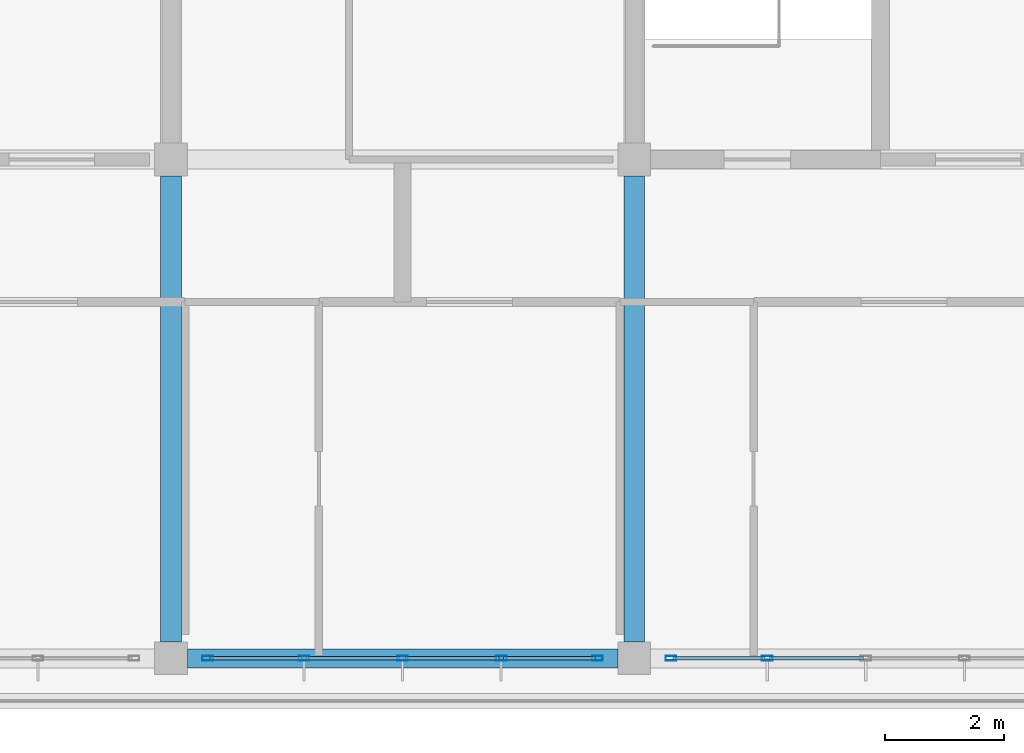
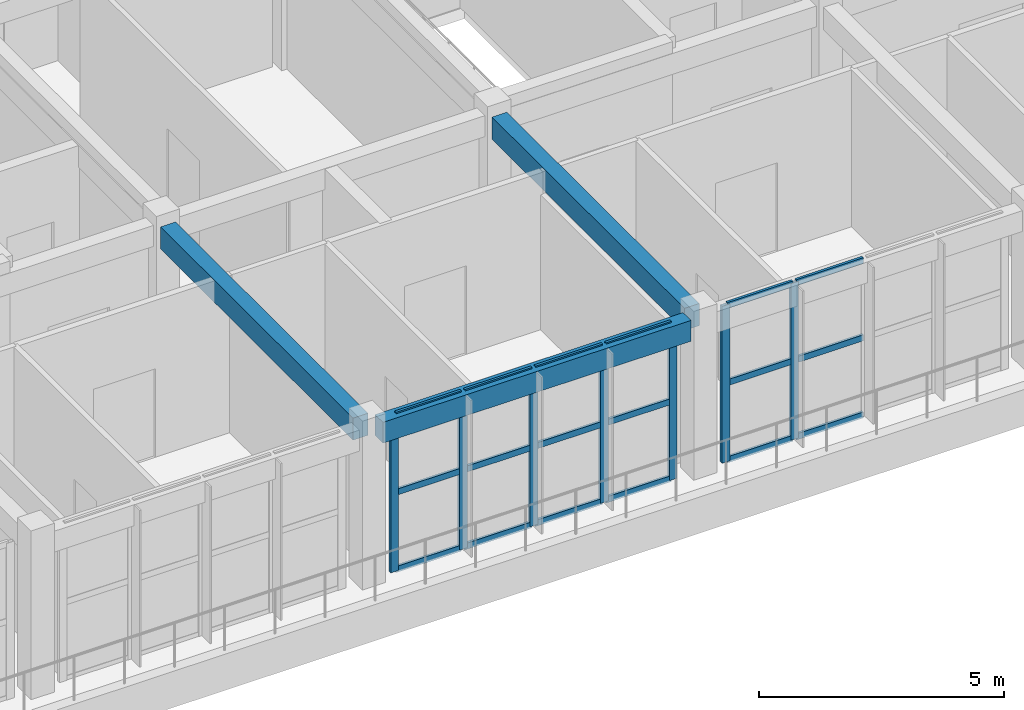
# One storey, part 11 of 33: 25 members, 3 beams, 2 elements without a shape of their own.
"""IFC4 building model written with IfcOpenShell, lengths in metres."""

from ifc_helpers import new_model, si_unit, direction, frame, origin, origin_2d, place, context, subcontext, project, spatial, rectangle, hollow_rectangle, extrude, material, layer, layer_set, material_profile, profile_set, type_object, element, aggregate, save


model = new_model("IFC4")

# Units and contexts
model_context = context("Model", 3, precision=1e-05, world=origin(), true_north=direction((0.0, 1.0)))
body_context = subcontext(model_context, "Body", "Model", "MODEL_VIEW")
ifc_project = project(units=[si_unit("LENGTHUNIT", "METRE"), si_unit("AREAUNIT", "SQUARE_METRE"), si_unit("VOLUMEUNIT", "CUBIC_METRE"), si_unit("PLANEANGLEUNIT", "RADIAN"), si_unit("MASSUNIT", "GRAM", prefix="KILO")], contexts=[model_context])

# Site, building, storey
site_placement = place(None, origin())
site = spatial("IfcSite", under=ifc_project, at=site_placement, CompositionType="ELEMENT")
building_placement = place(site_placement, origin())
building = spatial("IfcBuilding", under=site, at=building_placement, Name="Zizhar Promenade General Hospital", CompositionType="ELEMENT")
storey_placement = place(building_placement, frame((0.0, 0.0, 39.0)))
storey = spatial("IfcBuildingStorey", under=building, at=storey_placement, Name="L09", CompositionType="ELEMENT", Elevation=39.0)

# Beams
ifc_material_1 = material(Name="Concrete C35/45", Category="concrete")
ifc_material_profile_1 = material_profile(ifc_material_1, rectangle(XDim=0.320068359375, YDim=0.52001953125, at=origin_2d()))
ifc_profile_set_1 = profile_set([ifc_material_profile_1], Name="Concrete C35/45")
beam_type_1 = type_object("IfcBeamType", Name="BM-RC-320x520", PredefinedType="LINTEL", material=ifc_profile_set_1)
beam_placement = place(storey_placement, frame((70.47509765625, 0.0, 3.64990234375), z_axis=(1.0, 0.0, 0.0), x_axis=(0.0, 1.0, 0.0)))
element("IfcBeam", 1, at=beam_placement, inside=storey, type_object=beam_type_1, Name="Grid Beam X L09 (9-0)", PredefinedType="LINTEL", context=body_context, shape_type="SweptSolid", body=[
    extrude(rectangle(XDim=0.320068359375, YDim=0.52001953125, at=origin_2d()), origin(), (0.0, 0.0, 1.0), 7.25),
])
ifc_material_2 = material(Name="Concrete C35/45", Category="concrete")
ifc_material_profile_2 = material_profile(ifc_material_2, rectangle(XDim=0.35009765625, YDim=0.550048828125, at=origin_2d()))
ifc_profile_set_2 = profile_set([ifc_material_profile_2], Name="Concrete C35/45")
beam_type_2 = type_object("IfcBeamType", Name="BM-RC-350x550", PredefinedType="LINTEL", material=ifc_profile_set_2)
for number, where, z_axis, x_axis, name in (
    (2, (70.199951171875, 0.27490234375, 3.635009765625), (0.0, 1.0, 0.0), (-1.0, 0.0, 0.0), "Grid Beam Y L09 (9-0)"),
    (3, (78.0, 0.27490234375, 3.635009765625), (0.0, 1.0, 0.0), (-1.0, 0.0, 0.0), "Grid Beam Y L09 (10-0)"),
):
    element("IfcBeam", number, at=place(storey_placement, frame(where, z_axis=z_axis, x_axis=x_axis)), inside=storey, type_object=beam_type_2, Name=name, PredefinedType="LINTEL", context=body_context, shape_type="SweptSolid", body=[
        extrude(rectangle(XDim=0.35009765625, YDim=0.550048828125, at=origin_2d()), origin(), (0.0, 0.0, 1.0), 7.85009765625),
    ])

# Curtain wall, members
ifc_material_3 = material(Name="Anodised aluminium 6063-T6 and low-E glass", Category="aluminium")
ifc_layer = layer(ifc_material_3, 0.159912109375)
ifc_layer_set = layer_set([ifc_layer], Name="Anodised aluminium 6063-T6 and low-E glass")
curtain_wall_type = type_object("IfcCurtainWallType", Name="CW-WARD-RIB", PredefinedType="NOTDEFINED", material=ifc_layer_set)
curtain_wall_1_placement = place(storey_placement, origin())
curtain_wall_1 = element("IfcCurtainWall", 4, at=curtain_wall_1_placement, inside=storey, type_object=curtain_wall_type, Name="Ward Ribbon Curtain Wall L09-17-1", PredefinedType="NOTDEFINED")
ifc_material_4 = material(Name="Anodised aluminium 6063-T6", Category="aluminium")
ifc_material_profile_3 = material_profile(ifc_material_4, hollow_rectangle(XDim=0.080078125, YDim=0.179931640625, WallThickness=0.0048828125, at=origin_2d()))
ifc_profile_set_3 = profile_set([ifc_material_profile_3], Name="Anodised aluminium 6063-T6")
member_type_1 = type_object("IfcMemberType", Name="CWM-ALU-180x80", PredefinedType="MULLION", material=ifc_profile_set_3)
member_1_placement = place(storey_placement, frame((80.239990234375, 0.0, 0.0), z_axis=(0.0, 0.0, 1.0), x_axis=(0.0, -1.0, 0.0)))
member_1 = element("IfcMember", 5, at=member_1_placement, type_object=member_type_1, Name="CW-13 mullion 4", PredefinedType="MULLION", context=body_context, shape_type="SweptSolid", body=[
    extrude(hollow_rectangle(XDim=0.080078125, YDim=0.179931640625, WallThickness=0.0048828125, at=origin_2d()), origin(), (0.0, 0.0, 1.0), 3.89990234375),
])
member_2_placement = place(storey_placement, frame((78.6201171875, 0.0, 0.0), z_axis=(0.0, 0.0, 1.0), x_axis=(0.0, -1.0, 0.0)))
member_2 = element("IfcMember", 6, at=member_2_placement, type_object=member_type_1, Name="CW-13 mullion 5", PredefinedType="MULLION", context=body_context, shape_type="SweptSolid", body=[
    extrude(hollow_rectangle(XDim=0.080078125, YDim=0.179931640625, WallThickness=0.0048828125, at=origin_2d()), origin(), (0.0, 0.0, 1.0), 3.89990234375),
])

curtain_wall_2_placement = place(storey_placement, origin())
curtain_wall_2 = element("IfcCurtainWall", 7, at=curtain_wall_2_placement, inside=storey, type_object=curtain_wall_type, Name="Ward Ribbon Curtain Wall L09-17-2", PredefinedType="NOTDEFINED")
member_3_placement = place(storey_placement, frame((77.3798828125, 0.0, 0.0), z_axis=(0.0, 0.0, 1.0), x_axis=(0.0, -1.0, 0.0)))
member_3 = element("IfcMember", 8, at=member_3_placement, type_object=member_type_1, Name="CW-13 mullion 1", PredefinedType="MULLION", context=body_context, shape_type="SweptSolid", body=[
    extrude(hollow_rectangle(XDim=0.080078125, YDim=0.179931640625, WallThickness=0.0048828125, at=origin_2d()), origin(), (0.0, 0.0, 1.0), 3.89990234375),
])
member_4_placement = place(storey_placement, frame((75.760009765625, 0.0, 0.0), z_axis=(0.0, 0.0, 1.0), x_axis=(0.0, -1.0, 0.0)))
member_4 = element("IfcMember", 9, at=member_4_placement, type_object=member_type_1, Name="CW-13 mullion 2", PredefinedType="MULLION", context=body_context, shape_type="SweptSolid", body=[
    extrude(hollow_rectangle(XDim=0.080078125, YDim=0.179931640625, WallThickness=0.0048828125, at=origin_2d()), origin(), (0.0, 0.0, 1.0), 3.89990234375),
])
member_5_placement = place(storey_placement, frame((74.10009765625, 0.0, 0.0), z_axis=(0.0, 0.0, 1.0), x_axis=(0.0, -1.0, 0.0)))
member_5 = element("IfcMember", 10, at=member_5_placement, type_object=member_type_1, Name="CW-13 mullion 3", PredefinedType="MULLION", context=body_context, shape_type="SweptSolid", body=[
    extrude(hollow_rectangle(XDim=0.080078125, YDim=0.179931640625, WallThickness=0.0048828125, at=origin_2d()), origin(), (0.0, 0.0, 1.0), 3.89990234375),
])
member_6_placement = place(storey_placement, frame((72.43994140625, 0.0, 0.0), z_axis=(0.0, 0.0, 1.0), x_axis=(0.0, -1.0, 0.0)))
member_6 = element("IfcMember", 11, at=member_6_placement, type_object=member_type_1, Name="CW-13 mullion 4", PredefinedType="MULLION", context=body_context, shape_type="SweptSolid", body=[
    extrude(hollow_rectangle(XDim=0.080078125, YDim=0.179931640625, WallThickness=0.0048828125, at=origin_2d()), origin(), (0.0, 0.0, 1.0), 3.89990234375),
])
member_7_placement = place(storey_placement, frame((70.820068359375, 0.0, 0.0), z_axis=(0.0, 0.0, 1.0), x_axis=(0.0, -1.0, 0.0)))
member_7 = element("IfcMember", 12, at=member_7_placement, type_object=member_type_1, Name="CW-13 mullion 5", PredefinedType="MULLION", context=body_context, shape_type="SweptSolid", body=[
    extrude(hollow_rectangle(XDim=0.080078125, YDim=0.179931640625, WallThickness=0.0048828125, at=origin_2d()), origin(), (0.0, 0.0, 1.0), 3.89990234375),
])

# Member
ifc_material_5 = material(Name="Anodised aluminium 6063-T6", Category="aluminium")
ifc_material_profile_4 = material_profile(ifc_material_5, hollow_rectangle(XDim=0.06005859375, YDim=0.14990234375, WallThickness=0.00390625, at=origin_2d()))
ifc_profile_set_4 = profile_set([ifc_material_profile_4], Name="Anodised aluminium 6063-T6")
member_type_2 = type_object("IfcMemberType", Name="CWT-ALU-150x60", PredefinedType="USERDEFINED", material=ifc_profile_set_4)
member_8_placement = place(storey_placement, frame((81.860107421875, 0.0, 0.030029296875), z_axis=(-1.0, 0.0, 0.0), x_axis=(0.0, -1.0, 0.0)))
member_8 = element("IfcMember", 13, at=member_8_placement, type_object=member_type_2, Name="CW-13 transom 3.1", ObjectType="TRANSOM", PredefinedType="USERDEFINED", context=body_context, shape_type="SweptSolid", body=[
    extrude(hollow_rectangle(XDim=0.06005859375, YDim=0.14990234375, WallThickness=0.00390625, at=origin_2d()), origin(), (0.0, 0.0, 1.0), 1.580078125),
])

member_9_placement = place(storey_placement, frame((81.860107421875, 0.0, 1.949951171875), z_axis=(-1.0, 0.0, 0.0), x_axis=(0.0, -1.0, 0.0)))
member_9 = element("IfcMember", 14, at=member_9_placement, type_object=member_type_2, Name="CW-13 transom 3.2", ObjectType="TRANSOM", PredefinedType="USERDEFINED", context=body_context, shape_type="SweptSolid", body=[
    extrude(hollow_rectangle(XDim=0.06005859375, YDim=0.14990234375, WallThickness=0.00390625, at=origin_2d()), origin(), (0.0, 0.0, 1.0), 1.580078125),
])

member_10_placement = place(storey_placement, frame((81.860107421875, 0.0, 3.8701171875), z_axis=(-1.0, 0.0, 0.0), x_axis=(0.0, -1.0, 0.0)))
member_10 = element("IfcMember", 15, at=member_10_placement, type_object=member_type_2, Name="CW-13 transom 3.3", ObjectType="TRANSOM", PredefinedType="USERDEFINED", context=body_context, shape_type="SweptSolid", body=[
    extrude(hollow_rectangle(XDim=0.06005859375, YDim=0.14990234375, WallThickness=0.00390625, at=origin_2d()), origin(), (0.0, 0.0, 1.0), 1.580078125),
])

member_11_placement = place(storey_placement, frame((80.199951171875, 0.0, 0.030029296875), z_axis=(-1.0, 0.0, 0.0), x_axis=(0.0, -1.0, 0.0)))
member_11 = element("IfcMember", 16, at=member_11_placement, type_object=member_type_2, Name="CW-13 transom 4.1", ObjectType="TRANSOM", PredefinedType="USERDEFINED", context=body_context, shape_type="SweptSolid", body=[
    extrude(hollow_rectangle(XDim=0.06005859375, YDim=0.14990234375, WallThickness=0.00390625, at=origin_2d()), origin(), (0.0, 0.0, 1.0), 1.5400390625),
])

member_12_placement = place(storey_placement, frame((80.199951171875, 0.0, 1.949951171875), z_axis=(-1.0, 0.0, 0.0), x_axis=(0.0, -1.0, 0.0)))
member_12 = element("IfcMember", 17, at=member_12_placement, type_object=member_type_2, Name="CW-13 transom 4.2", ObjectType="TRANSOM", PredefinedType="USERDEFINED", context=body_context, shape_type="SweptSolid", body=[
    extrude(hollow_rectangle(XDim=0.06005859375, YDim=0.14990234375, WallThickness=0.00390625, at=origin_2d()), origin(), (0.0, 0.0, 1.0), 1.5400390625),
])

member_13_placement = place(storey_placement, frame((80.199951171875, 0.0, 3.8701171875), z_axis=(-1.0, 0.0, 0.0), x_axis=(0.0, -1.0, 0.0)))
member_13 = element("IfcMember", 18, at=member_13_placement, type_object=member_type_2, Name="CW-13 transom 4.3", ObjectType="TRANSOM", PredefinedType="USERDEFINED", context=body_context, shape_type="SweptSolid", body=[
    extrude(hollow_rectangle(XDim=0.06005859375, YDim=0.14990234375, WallThickness=0.00390625, at=origin_2d()), origin(), (0.0, 0.0, 1.0), 1.5400390625),
])

aggregate(curtain_wall_1, [member_1, member_2, member_8, member_9, member_10, member_11, member_12, member_13])

member_14_placement = place(storey_placement, frame((77.340087890625, 0.0, 0.030029296875), z_axis=(-1.0, 0.0, 0.0), x_axis=(0.0, -1.0, 0.0)))
member_14 = element("IfcMember", 19, at=member_14_placement, type_object=member_type_2, Name="CW-13 transom 1.1", ObjectType="TRANSOM", PredefinedType="USERDEFINED", context=body_context, shape_type="SweptSolid", body=[
    extrude(hollow_rectangle(XDim=0.06005859375, YDim=0.14990234375, WallThickness=0.00390625, at=origin_2d()), origin(), (0.0, 0.0, 1.0), 1.5400390625),
])

member_15_placement = place(storey_placement, frame((77.340087890625, 0.0, 1.949951171875), z_axis=(-1.0, 0.0, 0.0), x_axis=(0.0, -1.0, 0.0)))
member_15 = element("IfcMember", 20, at=member_15_placement, type_object=member_type_2, Name="CW-13 transom 1.2", ObjectType="TRANSOM", PredefinedType="USERDEFINED", context=body_context, shape_type="SweptSolid", body=[
    extrude(hollow_rectangle(XDim=0.06005859375, YDim=0.14990234375, WallThickness=0.00390625, at=origin_2d()), origin(), (0.0, 0.0, 1.0), 1.5400390625),
])

member_16_placement = place(storey_placement, frame((77.340087890625, 0.0, 3.8701171875), z_axis=(-1.0, 0.0, 0.0), x_axis=(0.0, -1.0, 0.0)))
member_16 = element("IfcMember", 21, at=member_16_placement, type_object=member_type_2, Name="CW-13 transom 1.3", ObjectType="TRANSOM", PredefinedType="USERDEFINED", context=body_context, shape_type="SweptSolid", body=[
    extrude(hollow_rectangle(XDim=0.06005859375, YDim=0.14990234375, WallThickness=0.00390625, at=origin_2d()), origin(), (0.0, 0.0, 1.0), 1.5400390625),
])

member_17_placement = place(storey_placement, frame((75.719970703125, 0.0, 0.030029296875), z_axis=(-1.0, 0.0, 0.0), x_axis=(0.0, -1.0, 0.0)))
member_17 = element("IfcMember", 22, at=member_17_placement, type_object=member_type_2, Name="CW-13 transom 2.1", ObjectType="TRANSOM", PredefinedType="USERDEFINED", context=body_context, shape_type="SweptSolid", body=[
    extrude(hollow_rectangle(XDim=0.06005859375, YDim=0.14990234375, WallThickness=0.00390625, at=origin_2d()), origin(), (0.0, 0.0, 1.0), 1.580078125),
])

member_18_placement = place(storey_placement, frame((75.719970703125, 0.0, 1.949951171875), z_axis=(-1.0, 0.0, 0.0), x_axis=(0.0, -1.0, 0.0)))
member_18 = element("IfcMember", 23, at=member_18_placement, type_object=member_type_2, Name="CW-13 transom 2.2", ObjectType="TRANSOM", PredefinedType="USERDEFINED", context=body_context, shape_type="SweptSolid", body=[
    extrude(hollow_rectangle(XDim=0.06005859375, YDim=0.14990234375, WallThickness=0.00390625, at=origin_2d()), origin(), (0.0, 0.0, 1.0), 1.580078125),
])

member_19_placement = place(storey_placement, frame((75.719970703125, 0.0, 3.8701171875), z_axis=(-1.0, 0.0, 0.0), x_axis=(0.0, -1.0, 0.0)))
member_19 = element("IfcMember", 24, at=member_19_placement, type_object=member_type_2, Name="CW-13 transom 2.3", ObjectType="TRANSOM", PredefinedType="USERDEFINED", context=body_context, shape_type="SweptSolid", body=[
    extrude(hollow_rectangle(XDim=0.06005859375, YDim=0.14990234375, WallThickness=0.00390625, at=origin_2d()), origin(), (0.0, 0.0, 1.0), 1.580078125),
])

member_20_placement = place(storey_placement, frame((74.06005859375, 0.0, 0.030029296875), z_axis=(-1.0, 0.0, 0.0), x_axis=(0.0, -1.0, 0.0)))
member_20 = element("IfcMember", 25, at=member_20_placement, type_object=member_type_2, Name="CW-13 transom 3.1", ObjectType="TRANSOM", PredefinedType="USERDEFINED", context=body_context, shape_type="SweptSolid", body=[
    extrude(hollow_rectangle(XDim=0.06005859375, YDim=0.14990234375, WallThickness=0.00390625, at=origin_2d()), origin(), (0.0, 0.0, 1.0), 1.580078125),
])

member_21_placement = place(storey_placement, frame((74.06005859375, 0.0, 1.949951171875), z_axis=(-1.0, 0.0, 0.0), x_axis=(0.0, -1.0, 0.0)))
member_21 = element("IfcMember", 26, at=member_21_placement, type_object=member_type_2, Name="CW-13 transom 3.2", ObjectType="TRANSOM", PredefinedType="USERDEFINED", context=body_context, shape_type="SweptSolid", body=[
    extrude(hollow_rectangle(XDim=0.06005859375, YDim=0.14990234375, WallThickness=0.00390625, at=origin_2d()), origin(), (0.0, 0.0, 1.0), 1.580078125),
])

member_22_placement = place(storey_placement, frame((74.06005859375, 0.0, 3.8701171875), z_axis=(-1.0, 0.0, 0.0), x_axis=(0.0, -1.0, 0.0)))
member_22 = element("IfcMember", 27, at=member_22_placement, type_object=member_type_2, Name="CW-13 transom 3.3", ObjectType="TRANSOM", PredefinedType="USERDEFINED", context=body_context, shape_type="SweptSolid", body=[
    extrude(hollow_rectangle(XDim=0.06005859375, YDim=0.14990234375, WallThickness=0.00390625, at=origin_2d()), origin(), (0.0, 0.0, 1.0), 1.580078125),
])

member_23_placement = place(storey_placement, frame((72.39990234375, 0.0, 0.030029296875), z_axis=(-1.0, 0.0, 0.0), x_axis=(0.0, -1.0, 0.0)))
member_23 = element("IfcMember", 28, at=member_23_placement, type_object=member_type_2, Name="CW-13 transom 4.1", ObjectType="TRANSOM", PredefinedType="USERDEFINED", context=body_context, shape_type="SweptSolid", body=[
    extrude(hollow_rectangle(XDim=0.06005859375, YDim=0.14990234375, WallThickness=0.00390625, at=origin_2d()), origin(), (0.0, 0.0, 1.0), 1.539794921875),
])

member_24_placement = place(storey_placement, frame((72.39990234375, 0.0, 1.949951171875), z_axis=(-1.0, 0.0, 0.0), x_axis=(0.0, -1.0, 0.0)))
member_24 = element("IfcMember", 29, at=member_24_placement, type_object=member_type_2, Name="CW-13 transom 4.2", ObjectType="TRANSOM", PredefinedType="USERDEFINED", context=body_context, shape_type="SweptSolid", body=[
    extrude(hollow_rectangle(XDim=0.06005859375, YDim=0.14990234375, WallThickness=0.00390625, at=origin_2d()), origin(), (0.0, 0.0, 1.0), 1.539794921875),
])

member_25_placement = place(storey_placement, frame((72.39990234375, 0.0, 3.8701171875), z_axis=(-1.0, 0.0, 0.0), x_axis=(0.0, -1.0, 0.0)))
member_25 = element("IfcMember", 30, at=member_25_placement, type_object=member_type_2, Name="CW-13 transom 4.3", ObjectType="TRANSOM", PredefinedType="USERDEFINED", context=body_context, shape_type="SweptSolid", body=[
    extrude(hollow_rectangle(XDim=0.06005859375, YDim=0.14990234375, WallThickness=0.00390625, at=origin_2d()), origin(), (0.0, 0.0, 1.0), 1.539794921875),
])

aggregate(curtain_wall_2, [member_3, member_4, member_5, member_6, member_7, member_14, member_15, member_16, member_17, member_18, member_19, member_20, member_21, member_22, member_23, member_24, member_25])

save(model, "model.ifc")
